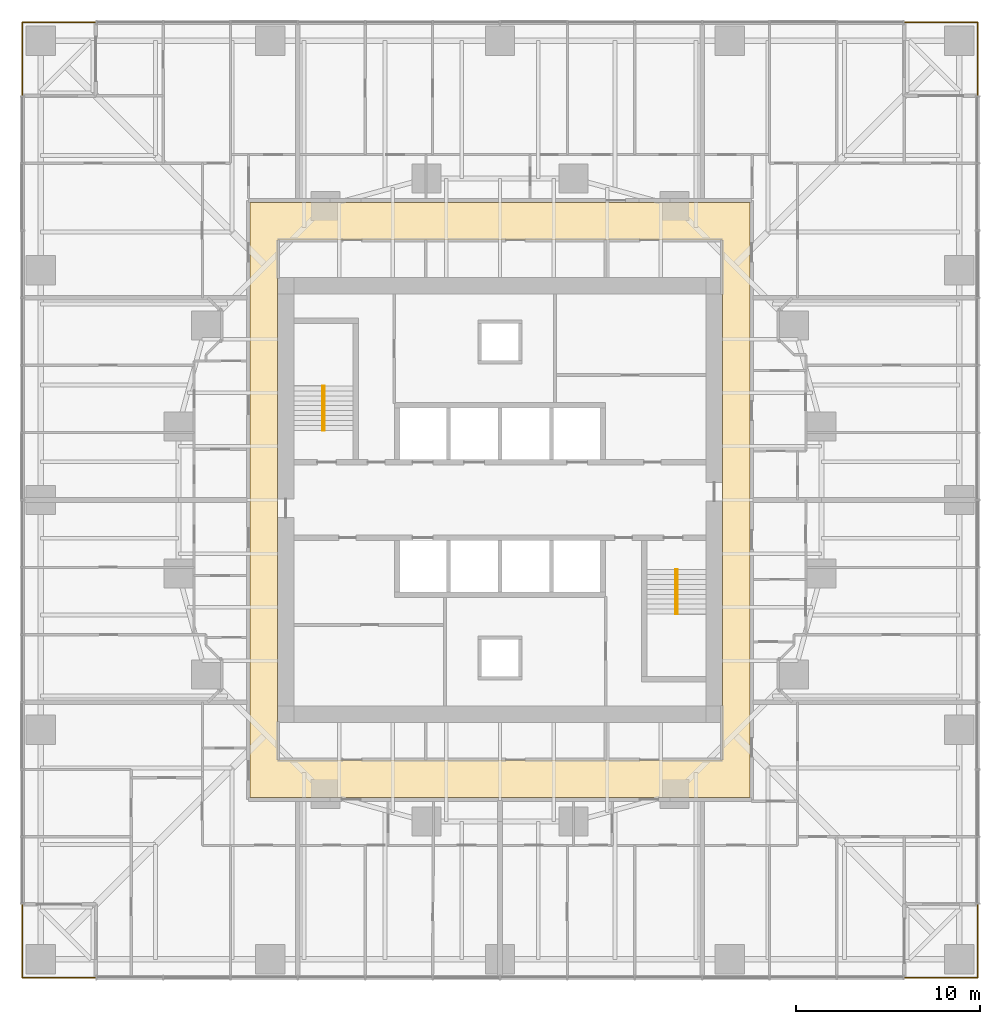
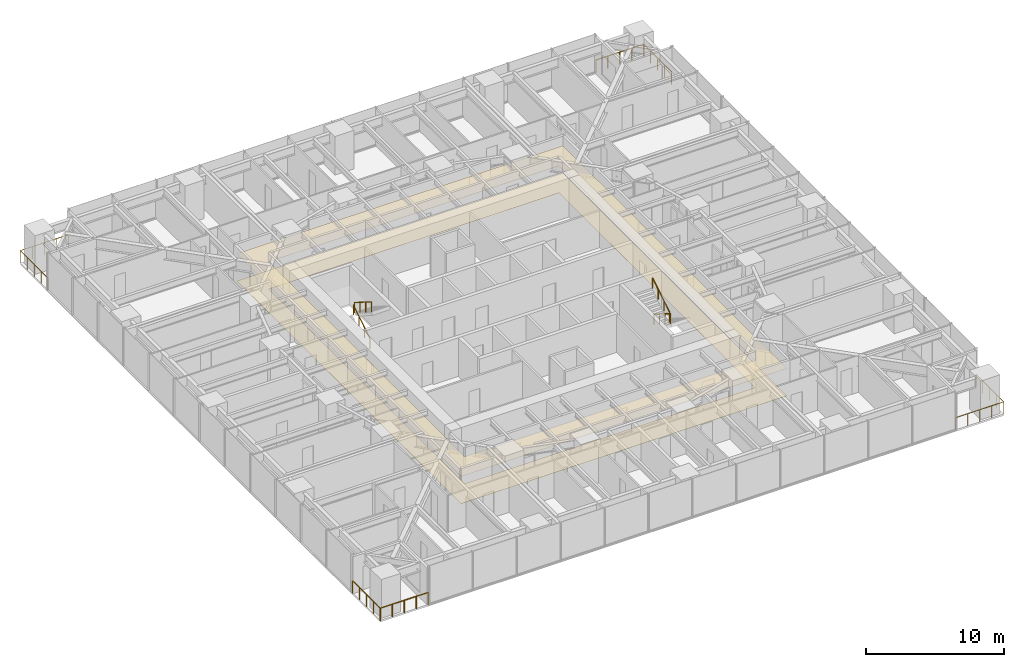
# One storey, part 18 of 18: 8 railings, 2 coverings, 2 elements without a shape of their own.
"""IFC4 building model written with IfcOpenShell, lengths in metres."""

from ifc_helpers import new_model, si_unit, direction, frame, origin, origin_2d, place, context, subcontext, project, spatial, polyline, circle, outline, extrude, material, layer, layer_set, type_object, element, aggregate, save


model = new_model("IFC4")

# Units and contexts
model_context = context("Model", 3, precision=1e-05, world=origin(), true_north=direction((0.0, 1.0)))
body_context = subcontext(model_context, "Body", "Model", "MODEL_VIEW")
ifc_project = project(units=[si_unit("LENGTHUNIT", "METRE"), si_unit("AREAUNIT", "SQUARE_METRE"), si_unit("VOLUMEUNIT", "CUBIC_METRE"), si_unit("PLANEANGLEUNIT", "RADIAN"), si_unit("MASSUNIT", "GRAM", prefix="KILO")], contexts=[model_context])

# Site, building, storey
site_placement = place(None, origin())
site = spatial("IfcSite", under=ifc_project, at=site_placement, CompositionType="ELEMENT")
building_placement = place(site_placement, origin())
building = spatial("IfcBuilding", under=site, at=building_placement, Name="Torsade Residences", CompositionType="ELEMENT")
storey_placement = place(building_placement, frame((0.0, 0.0, 25.199951171875)))
storey = spatial("IfcBuildingStorey", under=building, at=storey_placement, Name="L06", CompositionType="ELEMENT", Elevation=25.199951171875)

# Coverings
ifc_material_1 = material(Name="Nylon carpet tile on underlay", Category="textile")
ifc_layer_1 = layer(ifc_material_1, 0.010009765625)
ifc_layer_set_1 = layer_set([ifc_layer_1], Name="Nylon carpet tile on underlay")
covering_type_1 = type_object("IfcCoveringType", Name="CORRIDOR CARPET TILE 10", PredefinedType="FLOORING", material=ifc_layer_set_1)
covering_1_placement = place(storey_placement, origin())
element("IfcCovering", 1, at=covering_1_placement, inside=storey, type_object=covering_type_1, Name="Corridor carpet L06", PredefinedType="FLOORING", context=body_context, shape_type="SweptSolid", body=[
    extrude(outline(polyline([(26.39990234375, 46.199951171875), (26.39990234375, 13.800048828125), (53.60009765625, 13.800048828125), (53.60009765625, 46.199951171875), (26.39990234375, 46.199951171875)]), holes=[polyline([(52.10009765625, 44.14990234375), (27.89990234375, 44.14990234375), (27.89990234375, 15.85009765625), (52.10009765625, 15.85009765625), (52.10009765625, 44.14990234375)])]), origin(), (0.0, 0.0, 1.0), 0.010009765625),
])
ifc_material_2 = material(Name="Plasterboard on suspended steel grid", Category="steel")
ifc_layer_2 = layer(ifc_material_2, 0.012939453125)
ifc_layer_set_2 = layer_set([ifc_layer_2], Name="Plasterboard on suspended steel grid")
covering_type_2 = type_object("IfcCoveringType", Name="CORRIDOR SUSPENDED CEILING 13", PredefinedType="CEILING", material=ifc_layer_set_2)
covering_2_placement = place(storey_placement, frame((0.0, 0.0, 2.400146484375)))
element("IfcCovering", 2, at=covering_2_placement, inside=storey, type_object=covering_type_2, Name="Corridor ceiling L06", PredefinedType="CEILING", context=body_context, shape_type="SweptSolid", body=[
    extrude(outline(polyline([(26.39990234375, 46.199951171875), (26.39990234375, 13.800048828125), (53.60009765625, 13.800048828125), (53.60009765625, 46.199951171875), (26.39990234375, 46.199951171875)]), holes=[polyline([(52.10009765625, 44.14990234375), (27.89990234375, 44.14990234375), (27.89990234375, 15.85009765625), (52.10009765625, 15.85009765625), (52.10009765625, 44.14990234375)])]), origin(), (0.0, 0.0, 1.0), 0.012939453125),
])

# Stair, railings
ifc_material_3 = material(Name="Precast concrete 40 MPa", Category="concrete")
stair_type = type_object("IfcStairType", Name="HALF-TURN FIRE STAIR 1500x3400", PredefinedType="HALF_TURN_STAIR", material=ifc_material_3)
stair_1_placement = place(storey_placement, origin())
stair_1 = element("IfcStair", 3, at=stair_1_placement, inside=storey, type_object=stair_type, Name="Stair ST1 L06", PredefinedType="HALF_TURN_STAIR")
ifc_material_4 = material(Name="Steel handrail", Category="steel")
railing_type_1 = type_object("IfcRailingType", Name="STAIR HANDRAIL 900", PredefinedType="HANDRAIL", material=ifc_material_4)
railing_1_placement = place(storey_placement, frame((30.35009765625, 33.780029296875, 0.170166015625)))
railing_1 = element("IfcRailing", 4, at=railing_1_placement, type_object=railing_type_1, Name="Handrail ST1 flight 1 L06", PredefinedType="HANDRAIL", context=body_context, shape_type="SweptSolid", body=[
    extrude(circle(Radius=0.02392578125, at=origin_2d()), frame((0.0, 0.0, 0.8759765625), z_axis=(0.0, 0.846259816676, 0.532770422113), x_axis=(-1.0, 0.0, 0.0)), (0.0, 0.0, 1.0), 2.871337890625),
    extrude(circle(Radius=0.02099609375, at=origin_2d()), origin(), (0.0, 0.0, 1.0), 0.851806640625),
    extrude(circle(Radius=0.02099609375, at=origin_2d()), frame((0.0, 0.81005859375, 0.510009765625)), (0.0, 0.0, 1.0), 0.851806640625),
    extrude(circle(Radius=0.02099609375, at=origin_2d()), frame((0.0, 1.619873046875, 1.019775390625)), (0.0, 0.0, 1.0), 0.851806640625),
    extrude(circle(Radius=0.02099609375, at=origin_2d()), frame((0.0, 2.429931640625, 1.52978515625)), (0.0, 0.0, 1.0), 0.851806640625),
])
railing_2_placement = place(storey_placement, frame((30.449951171875, 36.2099609375, 1.8701171875)))
railing_2 = element("IfcRailing", 5, at=railing_2_placement, type_object=railing_type_1, Name="Handrail ST1 flight 2 L06", PredefinedType="HANDRAIL", context=body_context, shape_type="SweptSolid", body=[
    extrude(circle(Radius=0.02392578125, at=origin_2d()), frame((0.0, 0.0, 0.8759765625), z_axis=(0.0, -0.846221481393, 0.532831309544), x_axis=(1.0, 0.0, 0.0)), (0.0, 0.0, 1.0), 2.87158203125),
    extrude(circle(Radius=0.02099609375, at=origin_2d()), origin(), (0.0, 0.0, 1.0), 0.851806640625),
    extrude(circle(Radius=0.02099609375, at=origin_2d()), frame((0.0, -0.81005859375, 0.510009765625)), (0.0, 0.0, 1.0), 0.851806640625),
    extrude(circle(Radius=0.02099609375, at=origin_2d()), frame((0.0, -1.619873046875, 1.02001953125)), (0.0, 0.0, 1.0), 0.851806640625),
    extrude(circle(Radius=0.02099609375, at=origin_2d()), frame((0.0, -2.429931640625, 1.530029296875)), (0.0, 0.0, 1.0), 0.851806640625),
])
aggregate(stair_1, [railing_1, railing_2])

stair_2_placement = place(storey_placement, origin())
stair_2 = element("IfcStair", 6, at=stair_2_placement, inside=storey, type_object=stair_type, Name="Stair ST2 L06", PredefinedType="HALF_TURN_STAIR")
railing_3_placement = place(storey_placement, frame((49.64990234375, 26.219970703125, 0.170166015625)))
railing_3 = element("IfcRailing", 7, at=railing_3_placement, type_object=railing_type_1, Name="Handrail ST2 flight 1 L06", PredefinedType="HANDRAIL", context=body_context, shape_type="SweptSolid", body=[
    extrude(circle(Radius=0.02392578125, at=origin_2d()), frame((0.0, 0.0, 0.8759765625), z_axis=(0.0, -0.846259816676, 0.532770422113), x_axis=(1.0, 0.0, 0.0)), (0.0, 0.0, 1.0), 2.871337890625),
    extrude(circle(Radius=0.02099609375, at=origin_2d()), origin(), (0.0, 0.0, 1.0), 0.851806640625),
    extrude(circle(Radius=0.02099609375, at=origin_2d()), frame((0.0, -0.81005859375, 0.510009765625)), (0.0, 0.0, 1.0), 0.851806640625),
    extrude(circle(Radius=0.02099609375, at=origin_2d()), frame((0.0, -1.619873046875, 1.019775390625)), (0.0, 0.0, 1.0), 0.851806640625),
    extrude(circle(Radius=0.02099609375, at=origin_2d()), frame((0.0, -2.429931640625, 1.52978515625)), (0.0, 0.0, 1.0), 0.851806640625),
])
railing_4_placement = place(storey_placement, frame((49.550048828125, 23.7900390625, 1.8701171875)))
railing_4 = element("IfcRailing", 8, at=railing_4_placement, type_object=railing_type_1, Name="Handrail ST2 flight 2 L06", PredefinedType="HANDRAIL", context=body_context, shape_type="SweptSolid", body=[
    extrude(circle(Radius=0.02392578125, at=origin_2d()), frame((0.0, 0.0, 0.8759765625), z_axis=(0.0, 0.846221481393, 0.532831309544), x_axis=(-1.0, 0.0, 0.0)), (0.0, 0.0, 1.0), 2.87158203125),
    extrude(circle(Radius=0.02099609375, at=origin_2d()), origin(), (0.0, 0.0, 1.0), 0.851806640625),
    extrude(circle(Radius=0.02099609375, at=origin_2d()), frame((0.0, 0.81005859375, 0.510009765625)), (0.0, 0.0, 1.0), 0.851806640625),
    extrude(circle(Radius=0.02099609375, at=origin_2d()), frame((0.0, 1.619873046875, 1.02001953125)), (0.0, 0.0, 1.0), 0.851806640625),
    extrude(circle(Radius=0.02099609375, at=origin_2d()), frame((0.0, 2.429931640625, 1.530029296875)), (0.0, 0.0, 1.0), 0.851806640625),
])
aggregate(stair_2, [railing_3, railing_4])

# Railings
ifc_material_5 = material(Name="Laminated glass balustrade", Category="glass")
railing_type_2 = type_object("IfcRailingType", Name="TERRACE GLASS BALUSTRADE 1100", PredefinedType="BALUSTRADE", material=ifc_material_5)
railing_5_placement = place(storey_placement, frame((62.0, 4.0, 0.0)))
element("IfcRailing", 9, at=railing_5_placement, inside=storey, type_object=railing_type_2, Name="Terrace balustrade SE L06", PredefinedType="BALUSTRADE", context=body_context, shape_type="SweptSolid", body=[
    extrude(circle(Radius=0.02392578125, at=origin_2d()), frame((0.0, 0.0, 1.076171875), z_axis=(1.0, 0.0, 0.0), x_axis=(0.0, 1.0, 0.0)), (0.0, 0.0, 1.0), 4.0),
    extrude(circle(Radius=0.02392578125, at=origin_2d()), frame((4.0, 0.0, 1.076171875), z_axis=(0.0, 1.0, 0.0), x_axis=(-1.0, 0.0, 0.0)), (0.0, 0.0, 1.0), 4.0),
    extrude(circle(Radius=0.02099609375, at=origin_2d()), origin(), (0.0, 0.0, 1.0), 1.052001953125),
    extrude(circle(Radius=0.02099609375, at=origin_2d()), frame((1.0, 0.0, 0.0)), (0.0, 0.0, 1.0), 1.052001953125),
    extrude(circle(Radius=0.02099609375, at=origin_2d()), frame((2.0, 0.0, 0.0)), (0.0, 0.0, 1.0), 1.052001953125),
    extrude(circle(Radius=0.02099609375, at=origin_2d()), frame((3.0, 0.0, 0.0)), (0.0, 0.0, 1.0), 1.052001953125),
    extrude(circle(Radius=0.02099609375, at=origin_2d()), frame((4.0, 0.0, 0.0)), (0.0, 0.0, 1.0), 1.052001953125),
    extrude(circle(Radius=0.02099609375, at=origin_2d()), frame((4.0, 1.0, 0.0)), (0.0, 0.0, 1.0), 1.052001953125),
    extrude(circle(Radius=0.02099609375, at=origin_2d()), frame((4.0, 2.0, 0.0)), (0.0, 0.0, 1.0), 1.052001953125),
    extrude(circle(Radius=0.02099609375, at=origin_2d()), frame((4.0, 3.0, 0.0)), (0.0, 0.0, 1.0), 1.052001953125),
    extrude(circle(Radius=0.02099609375, at=origin_2d()), frame((4.0, 4.0, 0.0)), (0.0, 0.0, 1.0), 1.052001953125),
])
railing_6_placement = place(storey_placement, frame((66.0, 52.0, 0.0)))
element("IfcRailing", 10, at=railing_6_placement, inside=storey, type_object=railing_type_2, Name="Terrace balustrade NE L06", PredefinedType="BALUSTRADE", context=body_context, shape_type="SweptSolid", body=[
    extrude(circle(Radius=0.02392578125, at=origin_2d()), frame((0.0, 0.0, 1.076171875), z_axis=(0.0, 1.0, 0.0), x_axis=(-1.0, 0.0, 0.0)), (0.0, 0.0, 1.0), 4.0),
    extrude(circle(Radius=0.02392578125, at=origin_2d()), frame((0.0, 4.0, 1.076171875), z_axis=(-1.0, 0.0, 0.0), x_axis=(0.0, -1.0, 0.0)), (0.0, 0.0, 1.0), 4.0),
    extrude(circle(Radius=0.02099609375, at=origin_2d()), origin(), (0.0, 0.0, 1.0), 1.052001953125),
    extrude(circle(Radius=0.02099609375, at=origin_2d()), frame((0.0, 1.0, 0.0)), (0.0, 0.0, 1.0), 1.052001953125),
    extrude(circle(Radius=0.02099609375, at=origin_2d()), frame((0.0, 2.0, 0.0)), (0.0, 0.0, 1.0), 1.052001953125),
    extrude(circle(Radius=0.02099609375, at=origin_2d()), frame((0.0, 3.0, 0.0)), (0.0, 0.0, 1.0), 1.052001953125),
    extrude(circle(Radius=0.02099609375, at=origin_2d()), frame((0.0, 4.0, 0.0)), (0.0, 0.0, 1.0), 1.052001953125),
    extrude(circle(Radius=0.02099609375, at=origin_2d()), frame((-1.0, 4.0, 0.0)), (0.0, 0.0, 1.0), 1.052001953125),
    extrude(circle(Radius=0.02099609375, at=origin_2d()), frame((-2.0, 4.0, 0.0)), (0.0, 0.0, 1.0), 1.052001953125),
    extrude(circle(Radius=0.02099609375, at=origin_2d()), frame((-3.0, 4.0, 0.0)), (0.0, 0.0, 1.0), 1.052001953125),
    extrude(circle(Radius=0.02099609375, at=origin_2d()), frame((-4.0, 4.0, 0.0)), (0.0, 0.0, 1.0), 1.052001953125),
])
railing_7_placement = place(storey_placement, frame((18.0, 56.0, 0.0)))
element("IfcRailing", 11, at=railing_7_placement, inside=storey, type_object=railing_type_2, Name="Terrace balustrade NW L06", PredefinedType="BALUSTRADE", context=body_context, shape_type="SweptSolid", body=[
    extrude(circle(Radius=0.02392578125, at=origin_2d()), frame((0.0, 0.0, 1.076171875), z_axis=(-1.0, 0.0, 0.0), x_axis=(0.0, -1.0, 0.0)), (0.0, 0.0, 1.0), 4.0),
    extrude(circle(Radius=0.02392578125, at=origin_2d()), frame((-4.0, 0.0, 1.076171875), z_axis=(0.0, -1.0, 0.0), x_axis=(1.0, 0.0, 0.0)), (0.0, 0.0, 1.0), 4.0),
    extrude(circle(Radius=0.02099609375, at=origin_2d()), origin(), (0.0, 0.0, 1.0), 1.052001953125),
    extrude(circle(Radius=0.02099609375, at=origin_2d()), frame((-1.0, 0.0, 0.0)), (0.0, 0.0, 1.0), 1.052001953125),
    extrude(circle(Radius=0.02099609375, at=origin_2d()), frame((-2.0, 0.0, 0.0)), (0.0, 0.0, 1.0), 1.052001953125),
    extrude(circle(Radius=0.02099609375, at=origin_2d()), frame((-3.0, 0.0, 0.0)), (0.0, 0.0, 1.0), 1.052001953125),
    extrude(circle(Radius=0.02099609375, at=origin_2d()), frame((-4.0, 0.0, 0.0)), (0.0, 0.0, 1.0), 1.052001953125),
    extrude(circle(Radius=0.02099609375, at=origin_2d()), frame((-4.0, -1.0, 0.0)), (0.0, 0.0, 1.0), 1.052001953125),
    extrude(circle(Radius=0.02099609375, at=origin_2d()), frame((-4.0, -2.0, 0.0)), (0.0, 0.0, 1.0), 1.052001953125),
    extrude(circle(Radius=0.02099609375, at=origin_2d()), frame((-4.0, -3.0, 0.0)), (0.0, 0.0, 1.0), 1.052001953125),
    extrude(circle(Radius=0.02099609375, at=origin_2d()), frame((-4.0, -4.0, 0.0)), (0.0, 0.0, 1.0), 1.052001953125),
])
railing_8_placement = place(storey_placement, frame((14.0, 8.0, 0.0)))
element("IfcRailing", 12, at=railing_8_placement, inside=storey, type_object=railing_type_2, Name="Terrace balustrade SW L06", PredefinedType="BALUSTRADE", context=body_context, shape_type="SweptSolid", body=[
    extrude(circle(Radius=0.02392578125, at=origin_2d()), frame((0.0, 0.0, 1.076171875), z_axis=(0.0, -1.0, 0.0), x_axis=(1.0, 0.0, 0.0)), (0.0, 0.0, 1.0), 4.0),
    extrude(circle(Radius=0.02392578125, at=origin_2d()), frame((0.0, -4.0, 1.076171875), z_axis=(1.0, 0.0, 0.0), x_axis=(0.0, 1.0, 0.0)), (0.0, 0.0, 1.0), 4.0),
    extrude(circle(Radius=0.02099609375, at=origin_2d()), origin(), (0.0, 0.0, 1.0), 1.052001953125),
    extrude(circle(Radius=0.02099609375, at=origin_2d()), frame((0.0, -1.0, 0.0)), (0.0, 0.0, 1.0), 1.052001953125),
    extrude(circle(Radius=0.02099609375, at=origin_2d()), frame((0.0, -2.0, 0.0)), (0.0, 0.0, 1.0), 1.052001953125),
    extrude(circle(Radius=0.02099609375, at=origin_2d()), frame((0.0, -3.0, 0.0)), (0.0, 0.0, 1.0), 1.052001953125),
    extrude(circle(Radius=0.02099609375, at=origin_2d()), frame((0.0, -4.0, 0.0)), (0.0, 0.0, 1.0), 1.052001953125),
    extrude(circle(Radius=0.02099609375, at=origin_2d()), frame((1.0, -4.0, 0.0)), (0.0, 0.0, 1.0), 1.052001953125),
    extrude(circle(Radius=0.02099609375, at=origin_2d()), frame((2.0, -4.0, 0.0)), (0.0, 0.0, 1.0), 1.052001953125),
    extrude(circle(Radius=0.02099609375, at=origin_2d()), frame((3.0, -4.0, 0.0)), (0.0, 0.0, 1.0), 1.052001953125),
    extrude(circle(Radius=0.02099609375, at=origin_2d()), frame((4.0, -4.0, 0.0)), (0.0, 0.0, 1.0), 1.052001953125),
])

save(model, "model.ifc")
